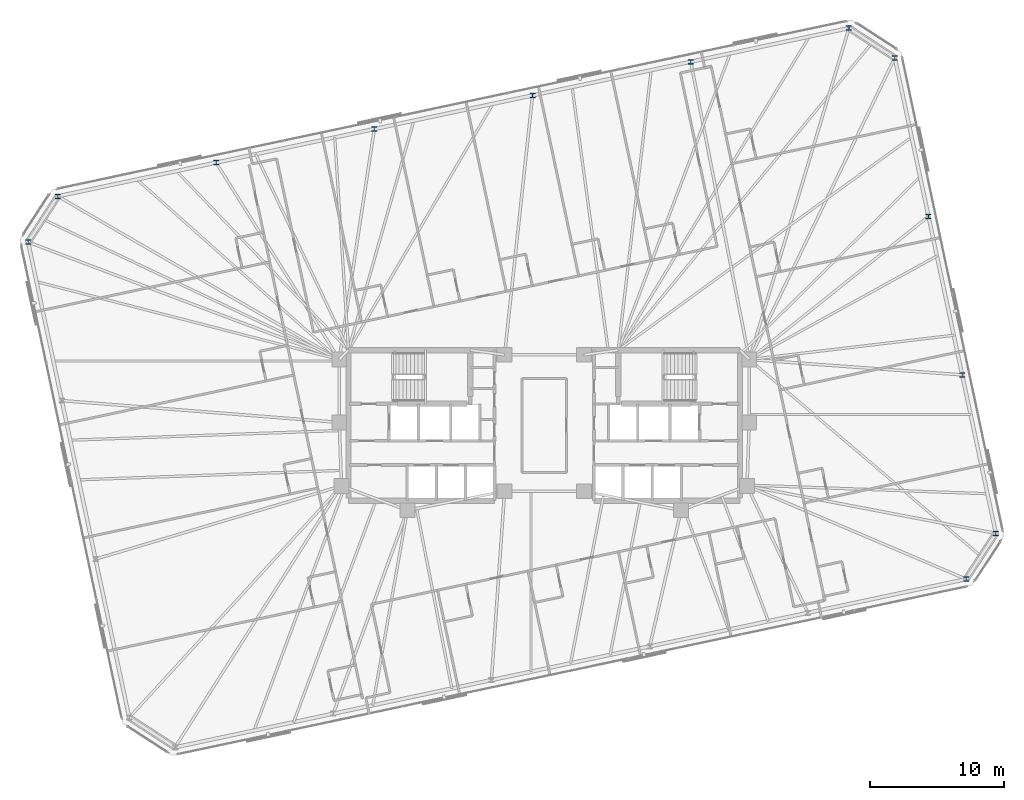
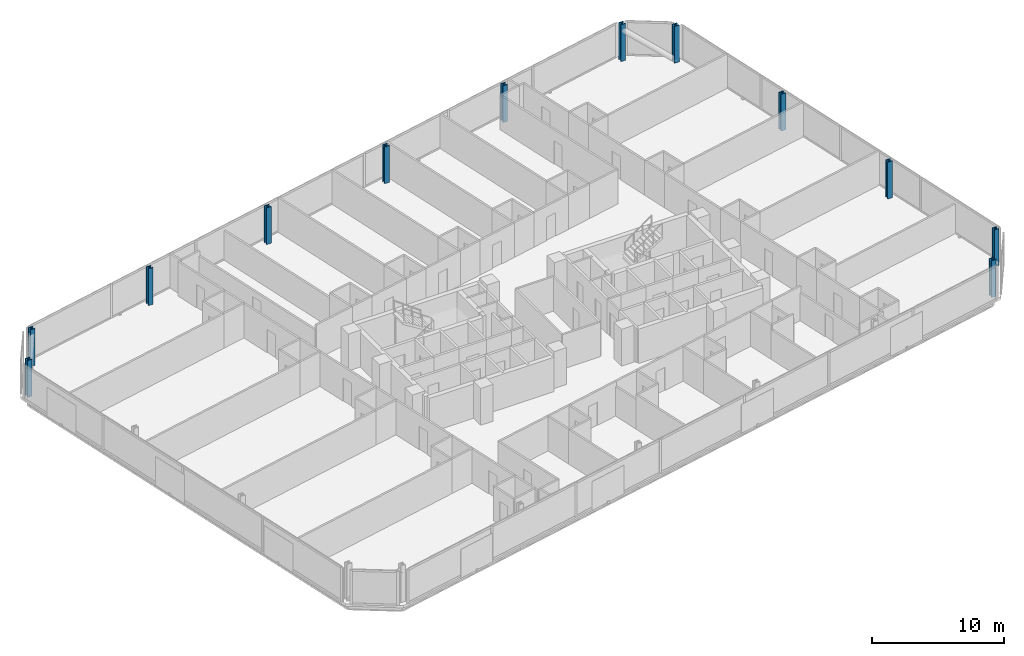
# One storey, part 5 of 20: 12 columns.
"""IFC4 building model written with IfcOpenShell, lengths in metres."""

from ifc_helpers import new_model, si_unit, direction, frame, origin, origin_2d, place, context, subcontext, project, spatial, i_section, extrude, material, material_profile, profile_set, type_object, element, save


model = new_model("IFC4")

# Units and contexts
model_context = context("Model", 3, precision=1e-05, world=origin(), true_north=direction((0.0, 1.0)))
body_context = subcontext(model_context, "Body", "Model", "MODEL_VIEW")
ifc_project = project(units=[si_unit("LENGTHUNIT", "METRE"), si_unit("AREAUNIT", "SQUARE_METRE"), si_unit("VOLUMEUNIT", "CUBIC_METRE"), si_unit("PLANEANGLEUNIT", "RADIAN"), si_unit("MASSUNIT", "GRAM", prefix="KILO")], contexts=[model_context])

# Site, building, storey
site_placement = place(None, origin())
site = spatial("IfcSite", under=ifc_project, at=site_placement, CompositionType="ELEMENT")
building_placement = place(site_placement, origin())
building = spatial("IfcBuilding", under=site, at=building_placement, Name="Menara Jurai Vektor", CompositionType="ELEMENT")
storey_placement = place(building_placement, frame((0.0, 0.0, 178.60009765625)))
storey = spatial("IfcBuildingStorey", under=building, at=storey_placement, Name="L46", CompositionType="ELEMENT", Elevation=178.60009765625)

# Columns
ifc_material = material(Name="Steel S460", Category="steel")
ifc_material_profile = material_profile(ifc_material, i_section(OverallWidth=0.408935546875, OverallDepth=0.3740234375, WebThickness=0.048095703125, FlangeThickness=0.076904296875, FilletRadius=0.014892578125, at=origin_2d()), Name="HD 400x634")
ifc_profile_set = profile_set([ifc_material_profile], Name="Steel S460")
column_type = type_object("IfcColumnType", Name="STR-EXO-BLK3", PredefinedType="COLUMN", material=ifc_profile_set)
for number, where, z_axis, x_axis, name in (
    (1, (31.376220703125, -11.438720703125, 0.0), (0.0, 0.0, 1.0), (1.0, 0.0, 0.0), "Exoskeleton Column BLK3-S6 L46"),
    (2, (33.588623046875, -8.031982421875, 0.0), (0.0, 0.0, 1.0), (1.0, 0.0, 0.0), "Exoskeleton Column BLK3-E1 L46"),
    (3, (31.082763671875, 3.75634765625, 0.0), (0.0, 0.0, 1.0), (1.0, 0.0, 0.0), "Exoskeleton Column BLK3-E2 L46"),
    (4, (28.5771484375, 15.544921875, 0.0), (0.0, 0.0, 1.0), (1.0, 0.0, 0.0), "Exoskeleton Column BLK3-E3 L46"),
    (5, (26.0712890625, 27.33349609375, 0.0), (0.0, 0.0, 1.0), (1.0, 0.0, 0.0), "Exoskeleton Column BLK3-E4 L46"),
    (6, (22.664794921875, 29.545654296875, 0.0), (0.0, 0.0, 1.0), (1.0, 0.0, 0.0), "Exoskeleton Column BLK3-N1 L46"),
    (7, (10.896484375, 27.044189453125, 0.0), (0.0, 0.0, 1.0), (1.0, 0.0, 0.0), "Exoskeleton Column BLK3-N2 L46"),
    (8, (-0.87158203125, 24.54296875, 0.0), (0.0, 0.0, 1.0), (1.0, 0.0, 0.0), "Exoskeleton Column BLK3-N3 L46"),
    (9, (-12.639892578125, 22.04150390625, 0.0), (0.0, 0.0, 1.0), (1.0, 0.0, 0.0), "Exoskeleton Column BLK3-N4 L46"),
    (10, (-24.407958984375, 19.5400390625, 0.0), (0.0, 0.0, 1.0), (1.0, 0.0, 0.0), "Exoskeleton Column BLK3-N5 L46"),
    (11, (-36.17626953125, 17.03857421875, 0.0), (0.0, 0.0, 1.0), (1.0, 0.0, 0.0), "Exoskeleton Column BLK3-N6 L46"),
    (12, (-38.388671875, 13.632080078125, 0.0), (0.0, 0.0, 1.0), (1.0, 0.0, 0.0), "Exoskeleton Column BLK3-W1 L46"),
):
    element("IfcColumn", number, at=place(storey_placement, frame(where, z_axis=z_axis, x_axis=x_axis)), inside=storey, type_object=column_type, Name=name, PredefinedType="COLUMN", context=body_context, shape_type="SweptSolid", body=[
        extrude(i_section(OverallWidth=0.408935546875, OverallDepth=0.3740234375, WebThickness=0.048095703125, FlangeThickness=0.076904296875, FilletRadius=0.014892578125, at=origin_2d()), origin(), (0.0, 0.0, 1.0), 3.39990234375),
    ])

save(model, "model.ifc")
